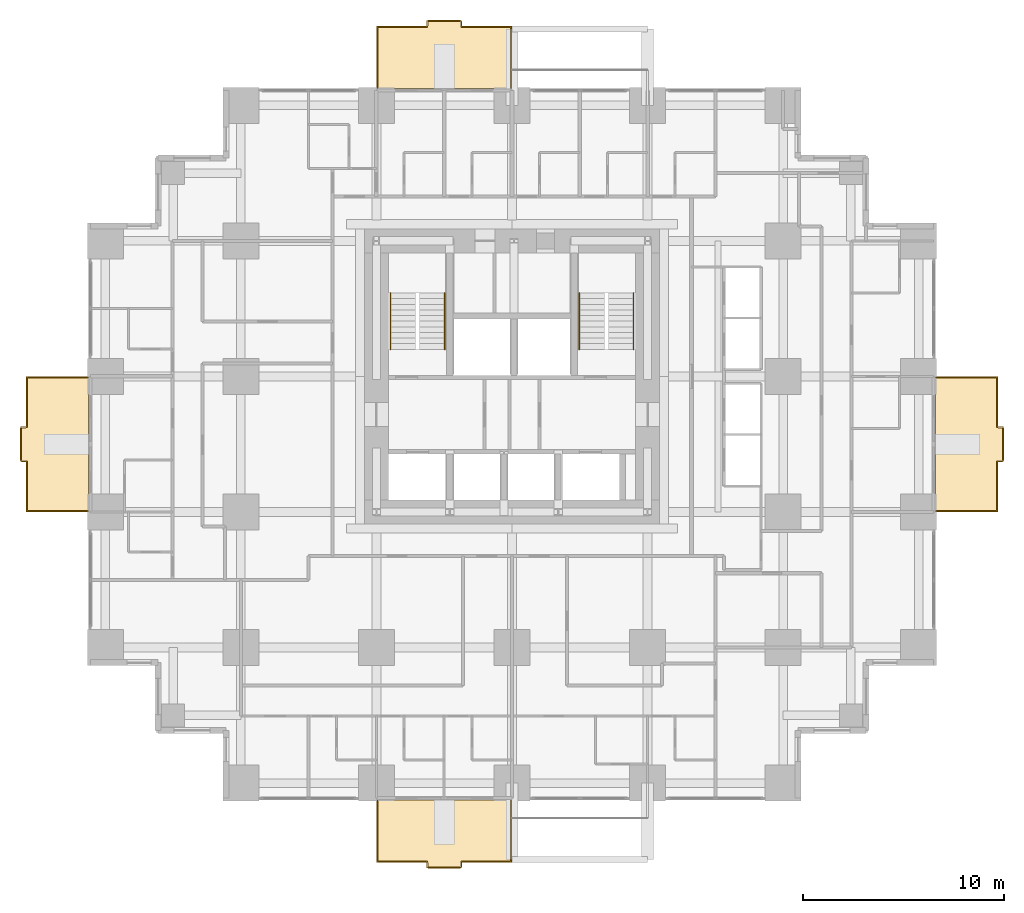
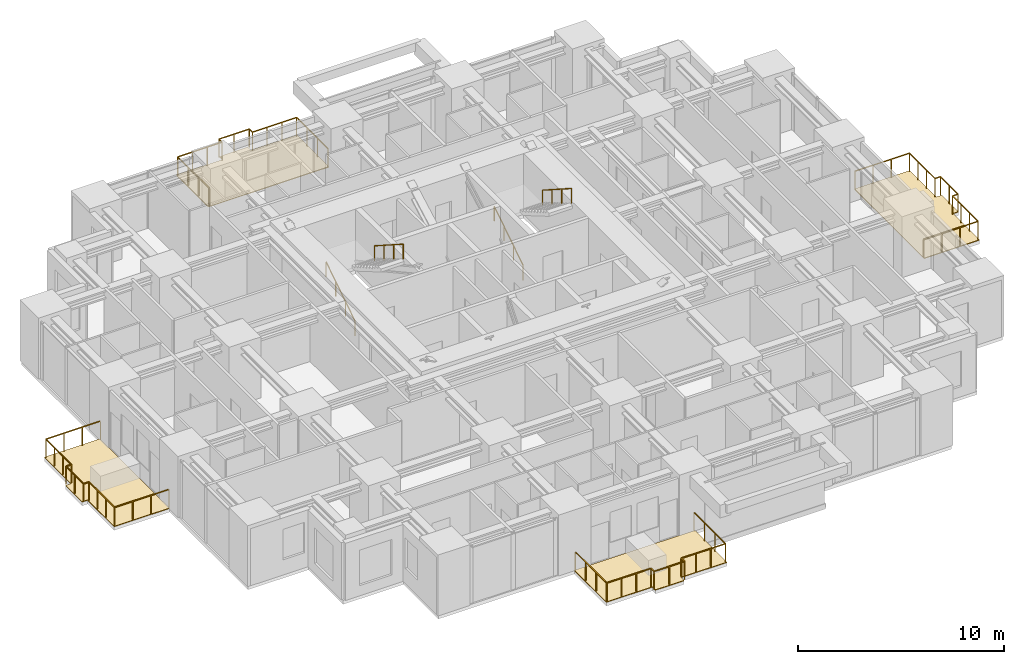
# One storey, part 13 of 13: 8 railings, 4 coverings.
"""IFC4 building model written with IfcOpenShell, lengths in metres."""

from ifc_helpers import new_model, si_unit, direction, frame, origin, origin_2d, place, context, subcontext, project, spatial, polyline, rectangle, outline, extrude, material, layer, layer_set, type_object, element, save


model = new_model("IFC4")

# Units and contexts
model_context = context("Model", 3, precision=1e-05, world=origin(), true_north=direction((0.0, 1.0)))
body_context = subcontext(model_context, "Body", "Model", "MODEL_VIEW")
ifc_project = project(units=[si_unit("LENGTHUNIT", "METRE"), si_unit("AREAUNIT", "SQUARE_METRE"), si_unit("VOLUMEUNIT", "CUBIC_METRE"), si_unit("PLANEANGLEUNIT", "RADIAN"), si_unit("MASSUNIT", "GRAM", prefix="KILO")], contexts=[model_context])

# Site, building, storey
site_placement = place(None, origin())
site = spatial("IfcSite", under=ifc_project, at=site_placement, CompositionType="ELEMENT")
building_placement = place(site_placement, origin())
building = spatial("IfcBuilding", under=site, at=building_placement, Name="Nyansa Garden Tower", CompositionType="ELEMENT")
storey_placement = place(building_placement, frame((0.0, 0.0, 87.300048828125)))
storey = spatial("IfcBuildingStorey", under=building, at=storey_placement, Name="L23", CompositionType="ELEMENT", Elevation=87.300048828125)

# Coverings
ifc_material_1 = material(Name="Hardwood decking on pedestals", Category="wood")
ifc_layer = layer(ifc_material_1, 0.0400390625)
ifc_layer_set = layer_set([ifc_layer], Name="Balcony decking DK40")
covering_type = type_object("IfcCoveringType", Name="Balcony decking DK40", PredefinedType="FLOORING", material=ifc_layer_set)
covering_1_placement = place(storey_placement, frame((0.0, 0.0, -0.0400390625)))
element("IfcCovering", 1, at=covering_1_placement, inside=storey, type_object=covering_type, Name="Balcony decking L23", PredefinedType="FLOORING", context=body_context, shape_type="SweptSolid", body=[
    extrude(outline(polyline([(13.5, -0.85009765625), (20.25, -0.85009765625), (20.25, -3.949951171875), (17.675048828125, -3.949951171875), (17.675048828125, -4.25), (16.074951171875, -4.25), (16.074951171875, -3.949951171875), (13.5, -3.949951171875), (13.5, -0.85009765625)])), origin(), (0.0, 0.0, 1.0), 0.0400390625),
])
covering_2_placement = place(storey_placement, frame((0.0, 0.0, -0.0400390625)))
element("IfcCovering", 2, at=covering_2_placement, inside=storey, type_object=covering_type, Name="Balcony decking L23", PredefinedType="FLOORING", context=body_context, shape_type="SweptSolid", body=[
    extrude(outline(polyline([(41.35009765625, 13.5), (41.35009765625, 20.25), (44.449951171875, 20.25), (44.449951171875, 17.675048828125), (44.75, 17.675048828125), (44.75, 16.074951171875), (44.449951171875, 16.074951171875), (44.449951171875, 13.5), (41.35009765625, 13.5)])), origin(), (0.0, 0.0, 1.0), 0.0400390625),
])
covering_3_placement = place(storey_placement, frame((0.0, 0.0, -0.0400390625)))
element("IfcCovering", 3, at=covering_3_placement, inside=storey, type_object=covering_type, Name="Balcony decking L23", PredefinedType="FLOORING", context=body_context, shape_type="SweptSolid", body=[
    extrude(outline(polyline([(13.5, 34.60009765625), (20.25, 34.60009765625), (20.25, 37.699951171875), (17.675048828125, 37.699951171875), (17.675048828125, 38.0), (16.074951171875, 38.0), (16.074951171875, 37.699951171875), (13.5, 37.699951171875), (13.5, 34.60009765625)])), origin(), (0.0, 0.0, 1.0), 0.0400390625),
])
covering_4_placement = place(storey_placement, frame((0.0, 0.0, -0.0400390625)))
element("IfcCovering", 4, at=covering_4_placement, inside=storey, type_object=covering_type, Name="Balcony decking L23", PredefinedType="FLOORING", context=body_context, shape_type="SweptSolid", body=[
    extrude(outline(polyline([(-0.85009765625, 13.5), (-0.85009765625, 20.25), (-3.949951171875, 20.25), (-3.949951171875, 17.675048828125), (-4.25, 17.675048828125), (-4.25, 16.074951171875), (-3.949951171875, 16.074951171875), (-3.949951171875, 13.5), (-0.85009765625, 13.5)])), origin(), (0.0, 0.0, 1.0), 0.0400390625),
])

# Railings
ifc_material_2 = material(Name="Black powder-coated steel balusters, laminated glass infill", Category="steel")
railing_type_1 = type_object("IfcRailingType", Name="Balcony guard G1", PredefinedType="GUARDRAIL", material=ifc_material_2)
railing_1_placement = place(storey_placement, frame((13.550048828125, -0.85009765625, 0.0)))
element("IfcRailing", 5, at=railing_1_placement, inside=storey, type_object=railing_type_1, Name="Balcony guard L23", PredefinedType="GUARDRAIL", context=body_context, shape_type="SweptSolid", body=[
    extrude(rectangle(XDim=0.048095703125, YDim=0.048095703125, at=origin_2d()), frame((0.0, 0.0, 1.076171875), z_axis=(0.0, -1.0, 0.0), x_axis=(1.0, 0.0, 0.0)), (0.0, 0.0, 1.0), 3.0498046875),
    extrude(rectangle(XDim=0.048095703125, YDim=0.048095703125, at=origin_2d()), frame((0.0, -3.0498046875, 1.076171875), z_axis=(1.0, 0.0, 0.0), x_axis=(0.0, 1.0, 0.0)), (0.0, 0.0, 1.0), 2.474853515625),
    extrude(rectangle(XDim=0.048095703125, YDim=0.048095703125, at=origin_2d()), frame((2.474853515625, -3.0498046875, 1.076171875), z_axis=(0.0, -1.0, 0.0), x_axis=(1.0, 0.0, 0.0)), (0.0, 0.0, 1.0), 0.300048828125),
    extrude(rectangle(XDim=0.048095703125, YDim=0.048095703125, at=origin_2d()), frame((2.474853515625, -3.349853515625, 1.076171875), z_axis=(1.0, 0.0, 0.0), x_axis=(0.0, 1.0, 0.0)), (0.0, 0.0, 1.0), 1.7001953125),
    extrude(rectangle(XDim=0.048095703125, YDim=0.048095703125, at=origin_2d()), frame((4.175048828125, -3.349853515625, 1.076171875), z_axis=(0.0, 1.0, 0.0), x_axis=(-1.0, 0.0, 0.0)), (0.0, 0.0, 1.0), 0.300048828125),
    extrude(rectangle(XDim=0.048095703125, YDim=0.048095703125, at=origin_2d()), frame((4.175048828125, -3.0498046875, 1.076171875), z_axis=(1.0, 0.0, 0.0), x_axis=(0.0, 1.0, 0.0)), (0.0, 0.0, 1.0), 2.474853515625),
    extrude(rectangle(XDim=0.048095703125, YDim=0.048095703125, at=origin_2d()), frame((6.64990234375, -3.0498046875, 1.076171875), z_axis=(0.0, 1.0, 0.0), x_axis=(-1.0, 0.0, 0.0)), (0.0, 0.0, 1.0), 3.0498046875),
    extrude(rectangle(XDim=0.0419921875, YDim=0.0419921875, at=origin_2d()), origin(), (0.0, 0.0, 1.0), 1.052001953125),
    extrude(rectangle(XDim=0.0419921875, YDim=0.0419921875, at=origin_2d()), frame((0.0, -1.0166015625, 0.0)), (0.0, 0.0, 1.0), 1.052001953125),
    extrude(rectangle(XDim=0.0419921875, YDim=0.0419921875, at=origin_2d()), frame((0.0, -2.033203125, 0.0)), (0.0, 0.0, 1.0), 1.052001953125),
    extrude(rectangle(XDim=0.0419921875, YDim=0.0419921875, at=origin_2d()), frame((0.0, -3.0498046875, 0.0)), (0.0, 0.0, 1.0), 1.052001953125),
    extrude(rectangle(XDim=0.0419921875, YDim=0.0419921875, at=origin_2d()), frame((0.824951171875, -3.0498046875, 0.0)), (0.0, 0.0, 1.0), 1.052001953125),
    extrude(rectangle(XDim=0.0419921875, YDim=0.0419921875, at=origin_2d()), frame((1.64990234375, -3.0498046875, 0.0)), (0.0, 0.0, 1.0), 1.052001953125),
    extrude(rectangle(XDim=0.0419921875, YDim=0.0419921875, at=origin_2d()), frame((2.474853515625, -3.0498046875, 0.0)), (0.0, 0.0, 1.0), 1.052001953125),
    extrude(rectangle(XDim=0.0419921875, YDim=0.0419921875, at=origin_2d()), frame((2.474853515625, -3.349853515625, 0.0)), (0.0, 0.0, 1.0), 1.052001953125),
    extrude(rectangle(XDim=0.0419921875, YDim=0.0419921875, at=origin_2d()), frame((3.324951171875, -3.349853515625, 0.0)), (0.0, 0.0, 1.0), 1.052001953125),
    extrude(rectangle(XDim=0.0419921875, YDim=0.0419921875, at=origin_2d()), frame((4.175048828125, -3.349853515625, 0.0)), (0.0, 0.0, 1.0), 1.052001953125),
    extrude(rectangle(XDim=0.0419921875, YDim=0.0419921875, at=origin_2d()), frame((4.175048828125, -3.0498046875, 0.0)), (0.0, 0.0, 1.0), 1.052001953125),
    extrude(rectangle(XDim=0.0419921875, YDim=0.0419921875, at=origin_2d()), frame((5.0, -3.0498046875, 0.0)), (0.0, 0.0, 1.0), 1.052001953125),
    extrude(rectangle(XDim=0.0419921875, YDim=0.0419921875, at=origin_2d()), frame((5.824951171875, -3.0498046875, 0.0)), (0.0, 0.0, 1.0), 1.052001953125),
    extrude(rectangle(XDim=0.0419921875, YDim=0.0419921875, at=origin_2d()), frame((6.64990234375, -3.0498046875, 0.0)), (0.0, 0.0, 1.0), 1.052001953125),
    extrude(rectangle(XDim=0.0419921875, YDim=0.0419921875, at=origin_2d()), frame((6.64990234375, -2.033203125, 0.0)), (0.0, 0.0, 1.0), 1.052001953125),
    extrude(rectangle(XDim=0.0419921875, YDim=0.0419921875, at=origin_2d()), frame((6.64990234375, -1.0166015625, 0.0)), (0.0, 0.0, 1.0), 1.052001953125),
    extrude(rectangle(XDim=0.0419921875, YDim=0.0419921875, at=origin_2d()), frame((6.64990234375, 0.0, 0.0)), (0.0, 0.0, 1.0), 1.052001953125),
])
railing_2_placement = place(storey_placement, frame((41.35009765625, 13.550048828125, 0.0)))
element("IfcRailing", 6, at=railing_2_placement, inside=storey, type_object=railing_type_1, Name="Balcony guard L23", PredefinedType="GUARDRAIL", context=body_context, shape_type="SweptSolid", body=[
    extrude(rectangle(XDim=0.048095703125, YDim=0.048095703125, at=origin_2d()), frame((0.0, 0.0, 1.076171875), z_axis=(1.0, 0.0, 0.0), x_axis=(0.0, 1.0, 0.0)), (0.0, 0.0, 1.0), 3.0498046875),
    extrude(rectangle(XDim=0.048095703125, YDim=0.048095703125, at=origin_2d()), frame((3.0498046875, 0.0, 1.076171875), z_axis=(0.0, 1.0, 0.0), x_axis=(-1.0, 0.0, 0.0)), (0.0, 0.0, 1.0), 2.474853515625),
    extrude(rectangle(XDim=0.048095703125, YDim=0.048095703125, at=origin_2d()), frame((3.0498046875, 2.474853515625, 1.076171875), z_axis=(1.0, 0.0, 0.0), x_axis=(0.0, 1.0, 0.0)), (0.0, 0.0, 1.0), 0.300048828125),
    extrude(rectangle(XDim=0.048095703125, YDim=0.048095703125, at=origin_2d()), frame((3.349853515625, 2.474853515625, 1.076171875), z_axis=(0.0, 1.0, 0.0), x_axis=(-1.0, 0.0, 0.0)), (0.0, 0.0, 1.0), 1.7001953125),
    extrude(rectangle(XDim=0.048095703125, YDim=0.048095703125, at=origin_2d()), frame((3.349853515625, 4.175048828125, 1.076171875), z_axis=(-1.0, 0.0, 0.0), x_axis=(0.0, -1.0, 0.0)), (0.0, 0.0, 1.0), 0.300048828125),
    extrude(rectangle(XDim=0.048095703125, YDim=0.048095703125, at=origin_2d()), frame((3.0498046875, 4.175048828125, 1.076171875), z_axis=(0.0, 1.0, 0.0), x_axis=(-1.0, 0.0, 0.0)), (0.0, 0.0, 1.0), 2.474853515625),
    extrude(rectangle(XDim=0.048095703125, YDim=0.048095703125, at=origin_2d()), frame((3.0498046875, 6.64990234375, 1.076171875), z_axis=(-1.0, 0.0, 0.0), x_axis=(0.0, -1.0, 0.0)), (0.0, 0.0, 1.0), 3.0498046875),
    extrude(rectangle(XDim=0.0419921875, YDim=0.0419921875, at=origin_2d()), origin(), (0.0, 0.0, 1.0), 1.052001953125),
    extrude(rectangle(XDim=0.0419921875, YDim=0.0419921875, at=origin_2d()), frame((1.0166015625, 0.0, 0.0)), (0.0, 0.0, 1.0), 1.052001953125),
    extrude(rectangle(XDim=0.0419921875, YDim=0.0419921875, at=origin_2d()), frame((2.033203125, 0.0, 0.0)), (0.0, 0.0, 1.0), 1.052001953125),
    extrude(rectangle(XDim=0.0419921875, YDim=0.0419921875, at=origin_2d()), frame((3.0498046875, 0.0, 0.0)), (0.0, 0.0, 1.0), 1.052001953125),
    extrude(rectangle(XDim=0.0419921875, YDim=0.0419921875, at=origin_2d()), frame((3.0498046875, 0.824951171875, 0.0)), (0.0, 0.0, 1.0), 1.052001953125),
    extrude(rectangle(XDim=0.0419921875, YDim=0.0419921875, at=origin_2d()), frame((3.0498046875, 1.64990234375, 0.0)), (0.0, 0.0, 1.0), 1.052001953125),
    extrude(rectangle(XDim=0.0419921875, YDim=0.0419921875, at=origin_2d()), frame((3.0498046875, 2.474853515625, 0.0)), (0.0, 0.0, 1.0), 1.052001953125),
    extrude(rectangle(XDim=0.0419921875, YDim=0.0419921875, at=origin_2d()), frame((3.349853515625, 2.474853515625, 0.0)), (0.0, 0.0, 1.0), 1.052001953125),
    extrude(rectangle(XDim=0.0419921875, YDim=0.0419921875, at=origin_2d()), frame((3.349853515625, 3.324951171875, 0.0)), (0.0, 0.0, 1.0), 1.052001953125),
    extrude(rectangle(XDim=0.0419921875, YDim=0.0419921875, at=origin_2d()), frame((3.349853515625, 4.175048828125, 0.0)), (0.0, 0.0, 1.0), 1.052001953125),
    extrude(rectangle(XDim=0.0419921875, YDim=0.0419921875, at=origin_2d()), frame((3.0498046875, 4.175048828125, 0.0)), (0.0, 0.0, 1.0), 1.052001953125),
    extrude(rectangle(XDim=0.0419921875, YDim=0.0419921875, at=origin_2d()), frame((3.0498046875, 5.0, 0.0)), (0.0, 0.0, 1.0), 1.052001953125),
    extrude(rectangle(XDim=0.0419921875, YDim=0.0419921875, at=origin_2d()), frame((3.0498046875, 5.824951171875, 0.0)), (0.0, 0.0, 1.0), 1.052001953125),
    extrude(rectangle(XDim=0.0419921875, YDim=0.0419921875, at=origin_2d()), frame((3.0498046875, 6.64990234375, 0.0)), (0.0, 0.0, 1.0), 1.052001953125),
    extrude(rectangle(XDim=0.0419921875, YDim=0.0419921875, at=origin_2d()), frame((2.033203125, 6.64990234375, 0.0)), (0.0, 0.0, 1.0), 1.052001953125),
    extrude(rectangle(XDim=0.0419921875, YDim=0.0419921875, at=origin_2d()), frame((1.0166015625, 6.64990234375, 0.0)), (0.0, 0.0, 1.0), 1.052001953125),
    extrude(rectangle(XDim=0.0419921875, YDim=0.0419921875, at=origin_2d()), frame((0.0, 6.64990234375, 0.0)), (0.0, 0.0, 1.0), 1.052001953125),
])
railing_3_placement = place(storey_placement, frame((13.550048828125, 34.60009765625, 0.0)))
element("IfcRailing", 7, at=railing_3_placement, inside=storey, type_object=railing_type_1, Name="Balcony guard L23", PredefinedType="GUARDRAIL", context=body_context, shape_type="SweptSolid", body=[
    extrude(rectangle(XDim=0.048095703125, YDim=0.048095703125, at=origin_2d()), frame((0.0, 0.0, 1.076171875), z_axis=(0.0, 1.0, 0.0), x_axis=(-1.0, 0.0, 0.0)), (0.0, 0.0, 1.0), 3.0498046875),
    extrude(rectangle(XDim=0.048095703125, YDim=0.048095703125, at=origin_2d()), frame((0.0, 3.0498046875, 1.076171875), z_axis=(1.0, 0.0, 0.0), x_axis=(0.0, 1.0, 0.0)), (0.0, 0.0, 1.0), 2.474853515625),
    extrude(rectangle(XDim=0.048095703125, YDim=0.048095703125, at=origin_2d()), frame((2.474853515625, 3.0498046875, 1.076171875), z_axis=(0.0, 1.0, 0.0), x_axis=(-1.0, 0.0, 0.0)), (0.0, 0.0, 1.0), 0.300048828125),
    extrude(rectangle(XDim=0.048095703125, YDim=0.048095703125, at=origin_2d()), frame((2.474853515625, 3.349853515625, 1.076171875), z_axis=(1.0, 0.0, 0.0), x_axis=(0.0, 1.0, 0.0)), (0.0, 0.0, 1.0), 1.7001953125),
    extrude(rectangle(XDim=0.048095703125, YDim=0.048095703125, at=origin_2d()), frame((4.175048828125, 3.349853515625, 1.076171875), z_axis=(0.0, -1.0, 0.0), x_axis=(1.0, 0.0, 0.0)), (0.0, 0.0, 1.0), 0.300048828125),
    extrude(rectangle(XDim=0.048095703125, YDim=0.048095703125, at=origin_2d()), frame((4.175048828125, 3.0498046875, 1.076171875), z_axis=(1.0, 0.0, 0.0), x_axis=(0.0, 1.0, 0.0)), (0.0, 0.0, 1.0), 2.474853515625),
    extrude(rectangle(XDim=0.048095703125, YDim=0.048095703125, at=origin_2d()), frame((6.64990234375, 3.0498046875, 1.076171875), z_axis=(0.0, -1.0, 0.0), x_axis=(1.0, 0.0, 0.0)), (0.0, 0.0, 1.0), 3.0498046875),
    extrude(rectangle(XDim=0.0419921875, YDim=0.0419921875, at=origin_2d()), origin(), (0.0, 0.0, 1.0), 1.052001953125),
    extrude(rectangle(XDim=0.0419921875, YDim=0.0419921875, at=origin_2d()), frame((0.0, 1.0166015625, 0.0)), (0.0, 0.0, 1.0), 1.052001953125),
    extrude(rectangle(XDim=0.0419921875, YDim=0.0419921875, at=origin_2d()), frame((0.0, 2.033203125, 0.0)), (0.0, 0.0, 1.0), 1.052001953125),
    extrude(rectangle(XDim=0.0419921875, YDim=0.0419921875, at=origin_2d()), frame((0.0, 3.0498046875, 0.0)), (0.0, 0.0, 1.0), 1.052001953125),
    extrude(rectangle(XDim=0.0419921875, YDim=0.0419921875, at=origin_2d()), frame((0.824951171875, 3.0498046875, 0.0)), (0.0, 0.0, 1.0), 1.052001953125),
    extrude(rectangle(XDim=0.0419921875, YDim=0.0419921875, at=origin_2d()), frame((1.64990234375, 3.0498046875, 0.0)), (0.0, 0.0, 1.0), 1.052001953125),
    extrude(rectangle(XDim=0.0419921875, YDim=0.0419921875, at=origin_2d()), frame((2.474853515625, 3.0498046875, 0.0)), (0.0, 0.0, 1.0), 1.052001953125),
    extrude(rectangle(XDim=0.0419921875, YDim=0.0419921875, at=origin_2d()), frame((2.474853515625, 3.349853515625, 0.0)), (0.0, 0.0, 1.0), 1.052001953125),
    extrude(rectangle(XDim=0.0419921875, YDim=0.0419921875, at=origin_2d()), frame((3.324951171875, 3.349853515625, 0.0)), (0.0, 0.0, 1.0), 1.052001953125),
    extrude(rectangle(XDim=0.0419921875, YDim=0.0419921875, at=origin_2d()), frame((4.175048828125, 3.349853515625, 0.0)), (0.0, 0.0, 1.0), 1.052001953125),
    extrude(rectangle(XDim=0.0419921875, YDim=0.0419921875, at=origin_2d()), frame((4.175048828125, 3.0498046875, 0.0)), (0.0, 0.0, 1.0), 1.052001953125),
    extrude(rectangle(XDim=0.0419921875, YDim=0.0419921875, at=origin_2d()), frame((5.0, 3.0498046875, 0.0)), (0.0, 0.0, 1.0), 1.052001953125),
    extrude(rectangle(XDim=0.0419921875, YDim=0.0419921875, at=origin_2d()), frame((5.824951171875, 3.0498046875, 0.0)), (0.0, 0.0, 1.0), 1.052001953125),
    extrude(rectangle(XDim=0.0419921875, YDim=0.0419921875, at=origin_2d()), frame((6.64990234375, 3.0498046875, 0.0)), (0.0, 0.0, 1.0), 1.052001953125),
    extrude(rectangle(XDim=0.0419921875, YDim=0.0419921875, at=origin_2d()), frame((6.64990234375, 2.033203125, 0.0)), (0.0, 0.0, 1.0), 1.052001953125),
    extrude(rectangle(XDim=0.0419921875, YDim=0.0419921875, at=origin_2d()), frame((6.64990234375, 1.0166015625, 0.0)), (0.0, 0.0, 1.0), 1.052001953125),
    extrude(rectangle(XDim=0.0419921875, YDim=0.0419921875, at=origin_2d()), frame((6.64990234375, 0.0, 0.0)), (0.0, 0.0, 1.0), 1.052001953125),
])
railing_4_placement = place(storey_placement, frame((-0.85009765625, 13.550048828125, 0.0)))
element("IfcRailing", 8, at=railing_4_placement, inside=storey, type_object=railing_type_1, Name="Balcony guard L23", PredefinedType="GUARDRAIL", context=body_context, shape_type="SweptSolid", body=[
    extrude(rectangle(XDim=0.048095703125, YDim=0.048095703125, at=origin_2d()), frame((0.0, 0.0, 1.076171875), z_axis=(-1.0, 0.0, 0.0), x_axis=(0.0, -1.0, 0.0)), (0.0, 0.0, 1.0), 3.0498046875),
    extrude(rectangle(XDim=0.048095703125, YDim=0.048095703125, at=origin_2d()), frame((-3.0498046875, 0.0, 1.076171875), z_axis=(0.0, 1.0, 0.0), x_axis=(-1.0, 0.0, 0.0)), (0.0, 0.0, 1.0), 2.474853515625),
    extrude(rectangle(XDim=0.048095703125, YDim=0.048095703125, at=origin_2d()), frame((-3.0498046875, 2.474853515625, 1.076171875), z_axis=(-1.0, 0.0, 0.0), x_axis=(0.0, -1.0, 0.0)), (0.0, 0.0, 1.0), 0.300048828125),
    extrude(rectangle(XDim=0.048095703125, YDim=0.048095703125, at=origin_2d()), frame((-3.349853515625, 2.474853515625, 1.076171875), z_axis=(0.0, 1.0, 0.0), x_axis=(-1.0, 0.0, 0.0)), (0.0, 0.0, 1.0), 1.7001953125),
    extrude(rectangle(XDim=0.048095703125, YDim=0.048095703125, at=origin_2d()), frame((-3.349853515625, 4.175048828125, 1.076171875), z_axis=(1.0, 0.0, 0.0), x_axis=(0.0, 1.0, 0.0)), (0.0, 0.0, 1.0), 0.300048828125),
    extrude(rectangle(XDim=0.048095703125, YDim=0.048095703125, at=origin_2d()), frame((-3.0498046875, 4.175048828125, 1.076171875), z_axis=(0.0, 1.0, 0.0), x_axis=(-1.0, 0.0, 0.0)), (0.0, 0.0, 1.0), 2.474853515625),
    extrude(rectangle(XDim=0.048095703125, YDim=0.048095703125, at=origin_2d()), frame((-3.0498046875, 6.64990234375, 1.076171875), z_axis=(1.0, 0.0, 0.0), x_axis=(0.0, 1.0, 0.0)), (0.0, 0.0, 1.0), 3.0498046875),
    extrude(rectangle(XDim=0.0419921875, YDim=0.0419921875, at=origin_2d()), origin(), (0.0, 0.0, 1.0), 1.052001953125),
    extrude(rectangle(XDim=0.0419921875, YDim=0.0419921875, at=origin_2d()), frame((-1.0166015625, 0.0, 0.0)), (0.0, 0.0, 1.0), 1.052001953125),
    extrude(rectangle(XDim=0.0419921875, YDim=0.0419921875, at=origin_2d()), frame((-2.033203125, 0.0, 0.0)), (0.0, 0.0, 1.0), 1.052001953125),
    extrude(rectangle(XDim=0.0419921875, YDim=0.0419921875, at=origin_2d()), frame((-3.0498046875, 0.0, 0.0)), (0.0, 0.0, 1.0), 1.052001953125),
    extrude(rectangle(XDim=0.0419921875, YDim=0.0419921875, at=origin_2d()), frame((-3.0498046875, 0.824951171875, 0.0)), (0.0, 0.0, 1.0), 1.052001953125),
    extrude(rectangle(XDim=0.0419921875, YDim=0.0419921875, at=origin_2d()), frame((-3.0498046875, 1.64990234375, 0.0)), (0.0, 0.0, 1.0), 1.052001953125),
    extrude(rectangle(XDim=0.0419921875, YDim=0.0419921875, at=origin_2d()), frame((-3.0498046875, 2.474853515625, 0.0)), (0.0, 0.0, 1.0), 1.052001953125),
    extrude(rectangle(XDim=0.0419921875, YDim=0.0419921875, at=origin_2d()), frame((-3.349853515625, 2.474853515625, 0.0)), (0.0, 0.0, 1.0), 1.052001953125),
    extrude(rectangle(XDim=0.0419921875, YDim=0.0419921875, at=origin_2d()), frame((-3.349853515625, 3.324951171875, 0.0)), (0.0, 0.0, 1.0), 1.052001953125),
    extrude(rectangle(XDim=0.0419921875, YDim=0.0419921875, at=origin_2d()), frame((-3.349853515625, 4.175048828125, 0.0)), (0.0, 0.0, 1.0), 1.052001953125),
    extrude(rectangle(XDim=0.0419921875, YDim=0.0419921875, at=origin_2d()), frame((-3.0498046875, 4.175048828125, 0.0)), (0.0, 0.0, 1.0), 1.052001953125),
    extrude(rectangle(XDim=0.0419921875, YDim=0.0419921875, at=origin_2d()), frame((-3.0498046875, 5.0, 0.0)), (0.0, 0.0, 1.0), 1.052001953125),
    extrude(rectangle(XDim=0.0419921875, YDim=0.0419921875, at=origin_2d()), frame((-3.0498046875, 5.824951171875, 0.0)), (0.0, 0.0, 1.0), 1.052001953125),
    extrude(rectangle(XDim=0.0419921875, YDim=0.0419921875, at=origin_2d()), frame((-3.0498046875, 6.64990234375, 0.0)), (0.0, 0.0, 1.0), 1.052001953125),
    extrude(rectangle(XDim=0.0419921875, YDim=0.0419921875, at=origin_2d()), frame((-2.033203125, 6.64990234375, 0.0)), (0.0, 0.0, 1.0), 1.052001953125),
    extrude(rectangle(XDim=0.0419921875, YDim=0.0419921875, at=origin_2d()), frame((-1.0166015625, 6.64990234375, 0.0)), (0.0, 0.0, 1.0), 1.052001953125),
    extrude(rectangle(XDim=0.0419921875, YDim=0.0419921875, at=origin_2d()), frame((0.0, 6.64990234375, 0.0)), (0.0, 0.0, 1.0), 1.052001953125),
])
ifc_material_3 = material(Name="Black powder-coated steel tube 48 mm", Category="steel")
railing_type_2 = type_object("IfcRailingType", Name="Stair handrail HR1", PredefinedType="HANDRAIL", material=ifc_material_3)
railing_5_placement = place(storey_placement, frame((14.199951171875, 21.60009765625, 0.0)))
element("IfcRailing", 9, at=railing_5_placement, inside=storey, type_object=railing_type_2, Name="Stair S1 handrail L23", PredefinedType="HANDRAIL", context=body_context, shape_type="SweptSolid", body=[
    extrude(rectangle(XDim=0.048095703125, YDim=0.048095703125, at=origin_2d()), frame((0.0, 0.0, 0.8759765625), z_axis=(0.0, 0.841154643086, 0.54079466197), x_axis=(-1.0, 0.0, 0.0)), (0.0, 0.0, 1.0), 3.32861328125),
    extrude(rectangle(XDim=0.0419921875, YDim=0.0419921875, at=origin_2d()), origin(), (0.0, 0.0, 1.0), 0.851806640625),
    extrude(rectangle(XDim=0.0419921875, YDim=0.0419921875, at=origin_2d()), frame((0.0, 0.933349609375, 0.60009765625)), (0.0, 0.0, 1.0), 0.851806640625),
    extrude(rectangle(XDim=0.0419921875, YDim=0.0419921875, at=origin_2d()), frame((0.0, 1.866455078125, 1.199951171875)), (0.0, 0.0, 1.0), 0.851806640625),
    extrude(rectangle(XDim=0.0419921875, YDim=0.0419921875, at=origin_2d()), frame((0.0, 2.7998046875, 1.800048828125)), (0.0, 0.0, 1.0), 0.851806640625),
])
railing_6_placement = place(storey_placement, frame((16.89990234375, 24.39990234375, 1.800048828125)))
element("IfcRailing", 10, at=railing_6_placement, inside=storey, type_object=railing_type_2, Name="Stair S1 handrail L23", PredefinedType="HANDRAIL", context=body_context, shape_type="SweptSolid", body=[
    extrude(rectangle(XDim=0.048095703125, YDim=0.048095703125, at=origin_2d()), frame((0.0, 0.0, 0.8759765625), z_axis=(0.0, -0.841188008214, 0.540742762169), x_axis=(1.0, 0.0, 0.0)), (0.0, 0.0, 1.0), 3.328369140625),
    extrude(rectangle(XDim=0.0419921875, YDim=0.0419921875, at=origin_2d()), origin(), (0.0, 0.0, 1.0), 0.851806640625),
    extrude(rectangle(XDim=0.0419921875, YDim=0.0419921875, at=origin_2d()), frame((0.0, -0.933349609375, 0.599853515625)), (0.0, 0.0, 1.0), 0.851806640625),
    extrude(rectangle(XDim=0.0419921875, YDim=0.0419921875, at=origin_2d()), frame((0.0, -1.866455078125, 1.199951171875)), (0.0, 0.0, 1.0), 0.851806640625),
    extrude(rectangle(XDim=0.0419921875, YDim=0.0419921875, at=origin_2d()), frame((0.0, -2.7998046875, 1.7998046875)), (0.0, 0.0, 1.0), 0.851806640625),
])
railing_7_placement = place(storey_placement, frame((23.60009765625, 21.60009765625, 0.0)))
element("IfcRailing", 11, at=railing_7_placement, inside=storey, type_object=railing_type_2, Name="Stair S2 handrail L23", PredefinedType="HANDRAIL", context=body_context, shape_type="SweptSolid", body=[
    extrude(rectangle(XDim=0.048095703125, YDim=0.048095703125, at=origin_2d()), frame((0.0, 0.0, 0.8759765625), z_axis=(0.0, 0.841154643086, 0.54079466197), x_axis=(-1.0, 0.0, 0.0)), (0.0, 0.0, 1.0), 3.32861328125),
    extrude(rectangle(XDim=0.0419921875, YDim=0.0419921875, at=origin_2d()), origin(), (0.0, 0.0, 1.0), 0.851806640625),
    extrude(rectangle(XDim=0.0419921875, YDim=0.0419921875, at=origin_2d()), frame((0.0, 0.933349609375, 0.60009765625)), (0.0, 0.0, 1.0), 0.851806640625),
    extrude(rectangle(XDim=0.0419921875, YDim=0.0419921875, at=origin_2d()), frame((0.0, 1.866455078125, 1.199951171875)), (0.0, 0.0, 1.0), 0.851806640625),
    extrude(rectangle(XDim=0.0419921875, YDim=0.0419921875, at=origin_2d()), frame((0.0, 2.7998046875, 1.800048828125)), (0.0, 0.0, 1.0), 0.851806640625),
])
railing_8_placement = place(storey_placement, frame((26.300048828125, 24.39990234375, 1.800048828125)))
element("IfcRailing", 12, at=railing_8_placement, inside=storey, type_object=railing_type_2, Name="Stair S2 handrail L23", PredefinedType="HANDRAIL", context=body_context, shape_type="SweptSolid", body=[
    extrude(rectangle(XDim=0.048095703125, YDim=0.048095703125, at=origin_2d()), frame((0.0, 0.0, 0.8759765625), z_axis=(0.0, -0.841188008214, 0.540742762169), x_axis=(1.0, 0.0, 0.0)), (0.0, 0.0, 1.0), 3.328369140625),
    extrude(rectangle(XDim=0.0419921875, YDim=0.0419921875, at=origin_2d()), origin(), (0.0, 0.0, 1.0), 0.851806640625),
    extrude(rectangle(XDim=0.0419921875, YDim=0.0419921875, at=origin_2d()), frame((0.0, -0.933349609375, 0.599853515625)), (0.0, 0.0, 1.0), 0.851806640625),
    extrude(rectangle(XDim=0.0419921875, YDim=0.0419921875, at=origin_2d()), frame((0.0, -1.866455078125, 1.199951171875)), (0.0, 0.0, 1.0), 0.851806640625),
    extrude(rectangle(XDim=0.0419921875, YDim=0.0419921875, at=origin_2d()), frame((0.0, -2.7998046875, 1.7998046875)), (0.0, 0.0, 1.0), 0.851806640625),
])

save(model, "model.ifc")
